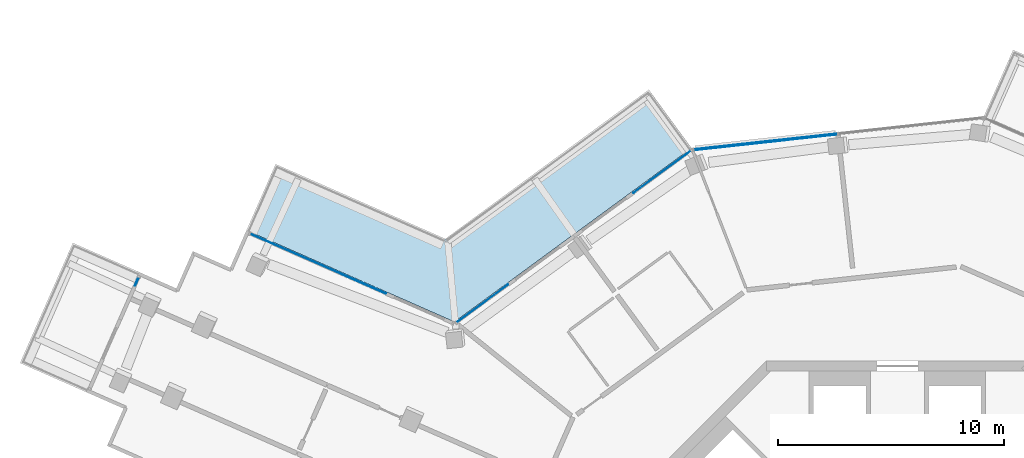
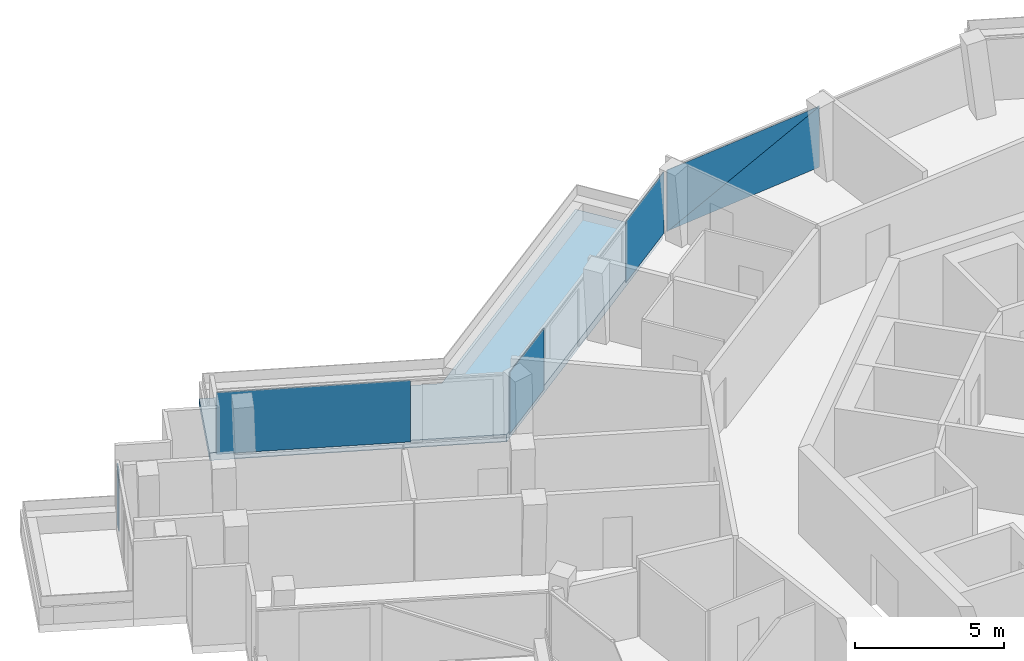
# One storey, part 13 of 24: 6 plates, 1 slab, 4 elements without a shape of their own.
"""IFC4 building model written with IfcOpenShell, lengths in metres."""

from ifc_helpers import new_model, si_unit, direction, frame, origin, origin_2d, place, context, subcontext, project, spatial, polyline, rectangle, outline, extrude, material, layer, layer_set, type_object, element, aggregate, save


model = new_model("IFC4")

# Units and contexts
model_context = context("Model", 3, precision=1e-05, world=origin(), true_north=direction((0.0, 1.0)))
body_context = subcontext(model_context, "Body", "Model", "MODEL_VIEW")
ifc_project = project(units=[si_unit("LENGTHUNIT", "METRE"), si_unit("AREAUNIT", "SQUARE_METRE"), si_unit("VOLUMEUNIT", "CUBIC_METRE"), si_unit("PLANEANGLEUNIT", "RADIAN"), si_unit("MASSUNIT", "GRAM", prefix="KILO")], contexts=[model_context])

# Site, building, storey
site_placement = place(None, origin())
site = spatial("IfcSite", under=ifc_project, at=site_placement, CompositionType="ELEMENT")
building_placement = place(site_placement, origin())
building = spatial("IfcBuilding", under=site, at=building_placement, Name="Verdalira Terraces Hotel", CompositionType="ELEMENT")
storey_placement = place(building_placement, frame((0.0, 0.0, 303.0)))
storey = spatial("IfcBuildingStorey", under=building, at=storey_placement, Name="L75", CompositionType="ELEMENT", Elevation=303.0)

# Slab
ifc_material_1 = material(Name="Precast concrete C40/50", Category="concrete")
ifc_layer_1 = layer(ifc_material_1, 0.31005859375)
ifc_layer_set_1 = layer_set([ifc_layer_1], Name="Balcony deck 310")
slab_type = type_object("IfcSlabType", Name="Balcony deck 310", PredefinedType="FLOOR", material=ifc_layer_set_1)
slab_placement = place(storey_placement, frame((0.0, 0.0, -0.310059)))
element("IfcSlab", 1, at=slab_placement, inside=storey, type_object=slab_type, Name="Balcony deck", PredefinedType="FLOOR", context=body_context, shape_type="SweptSolid", body=[
    extrude(outline(polyline([(-19.984863, 19.395996), (-27.487793, 22.698975), (-28.7771, 19.770264), (-19.583252, 15.7229), (-9.098145, 23.408203), (-10.98999, 25.989014), (-19.984863, 19.395996)])), origin(), (0.0, 0.0, 1.0), 0.310059),
])

# Curtain wall, plates
ifc_material_2 = material(Name="Clear glass", Category="glass")
ifc_layer_2 = layer(ifc_material_2, 0.14990234375)
ifc_layer_set_2 = layer_set([ifc_layer_2], Name="CW1 curtain wall")
curtain_wall_type_1 = type_object("IfcCurtainWallType", Name="CW1 curtain wall", PredefinedType="NOTDEFINED", material=ifc_layer_set_2)
curtain_wall_1_placement = place(storey_placement, origin())
curtain_wall_1 = element("IfcCurtainWall", 2, at=curtain_wall_1_placement, inside=storey, type_object=curtain_wall_type_1, Name="CW1 curtain wall L75 edge 40", PredefinedType="NOTDEFINED")
ifc_material_3 = material(Name="Clear glass", Category="glass")
ifc_layer_3 = layer(ifc_material_3, 0.028076171875)
ifc_layer_set_3 = layer_set([ifc_layer_3], Name="CW1 glass unit 28")
plate_type_1 = type_object("IfcPlateType", Name="CW1 glass unit 28", PredefinedType="CURTAIN_PANEL", material=ifc_layer_set_3)
plate_1_placement = place(storey_placement, frame((-5.822998, 23.676758, 1.262451), z_axis=(-0.108693378, 0.994075324, 0.0), x_axis=(-0.994075324, -0.108693378, 0.0)))
plate_1 = element("IfcPlate", 3, at=plate_1_placement, type_object=plate_type_1, Name="CW1 glass unit", PredefinedType="CURTAIN_PANEL", context=body_context, shape_type="SweptSolid", body=[
    extrude(outline(polyline([(-3.185059, -1.262451), (3.185059, -1.262451), (-3.185059, 1.262451), (-3.185059, -1.262451)])), origin(), (0.0, 0.0, 1.0), 0.028076),
])
plate_2_placement = place(storey_placement, frame((-5.819824, 23.647949, 1.262451), z_axis=(-0.108693378, 0.994075324, 0.0), x_axis=(-0.994075324, -0.108693378, 0.0)))
plate_2 = element("IfcPlate", 4, at=plate_2_placement, type_object=plate_type_1, Name="CW1 glass unit", PredefinedType="CURTAIN_PANEL", context=body_context, shape_type="SweptSolid", body=[
    extrude(outline(polyline([(3.185059, -1.262451), (3.185059, 1.262451), (-3.185059, 1.262451), (3.185059, -1.262451)])), origin(), (0.0, 0.0, 1.0), 0.028076),
])
aggregate(curtain_wall_1, [plate_1, plate_2])

curtain_wall_2_placement = place(storey_placement, origin())
curtain_wall_2 = element("IfcCurtainWall", 5, at=curtain_wall_2_placement, inside=storey, type_object=curtain_wall_type_1, Name="CW1 curtain wall L75 edge 41", PredefinedType="NOTDEFINED")
plate_3_placement = place(storey_placement, frame((-10.405029, 22.357422, 0.0), z_axis=(0.0, 0.0, 1.0), x_axis=(-0.806547795, -0.591168888, 0.0)))
plate_3 = element("IfcPlate", 6, at=plate_3_placement, type_object=plate_type_1, Name="CW1 glass unit", PredefinedType="CURTAIN_PANEL", context=body_context, shape_type="SweptSolid", body=[
    extrude(rectangle(XDim=3.149902, YDim=0.028076, at=origin_2d()), origin(), (0.0, 0.0, 1.0), 2.524902),
])
plate_4_placement = place(storey_placement, frame((-18.349854, 16.533936, 0.0), z_axis=(0.0, 0.0, 1.0), x_axis=(-0.806547795, -0.591168888, 0.0)))
plate_4 = element("IfcPlate", 7, at=plate_4_placement, type_object=plate_type_1, Name="CW1 glass unit", PredefinedType="CURTAIN_PANEL", context=body_context, shape_type="SweptSolid", body=[
    extrude(rectangle(XDim=2.828613, YDim=0.028076, at=origin_2d()), origin(), (0.0, 0.0, 1.0), 2.524902),
])
aggregate(curtain_wall_2, [plate_3, plate_4])

# Curtain wall, plate
ifc_material_4 = material(Name="Clear glass", Category="glass")
ifc_layer_4 = layer(ifc_material_4, 0.14990234375)
ifc_layer_set_4 = layer_set([ifc_layer_4], Name="CW2 curtain wall")
curtain_wall_type_2 = type_object("IfcCurtainWallType", Name="CW2 curtain wall", PredefinedType="NOTDEFINED", material=ifc_layer_set_4)
curtain_wall_3_placement = place(storey_placement, origin())
curtain_wall_3 = element("IfcCurtainWall", 8, at=curtain_wall_3_placement, inside=storey, type_object=curtain_wall_type_2, Name="CW2 curtain wall L75 edge 0", PredefinedType="NOTDEFINED")
ifc_material_5 = material(Name="Clear glass", Category="glass")
ifc_layer_5 = layer(ifc_material_5, 0.031982421875)
ifc_layer_set_5 = layer_set([ifc_layer_5], Name="CW2 glass unit 32")
plate_type_2 = type_object("IfcPlateType", Name="CW2 glass unit 32", PredefinedType="CURTAIN_PANEL", material=ifc_layer_set_5)
plate_5_placement = place(storey_placement, frame((-25.606201, 18.292236, 0.0), z_axis=(0.0, 0.0, 1.0), x_axis=(-0.915241173, 0.402906436, 0.0)))
plate_5 = element("IfcPlate", 9, at=plate_5_placement, type_object=plate_type_2, Name="CW2 glass unit", PredefinedType="CURTAIN_PANEL", context=body_context, shape_type="SweptSolid", body=[
    extrude(rectangle(XDim=6.555176, YDim=0.031982, at=origin_2d()), origin(), (0.0, 0.0, 1.0), 2.524902),
])
aggregate(curtain_wall_3, [plate_5])

ifc_material_6 = material(Name="Clear glass", Category="glass")
ifc_layer_6 = layer(ifc_material_6, 0.14990234375)
ifc_layer_set_6 = layer_set([ifc_layer_6], Name="CW3 curtain wall")
curtain_wall_type_3 = type_object("IfcCurtainWallType", Name="CW3 curtain wall", PredefinedType="NOTDEFINED", material=ifc_layer_set_6)
curtain_wall_4_placement = place(storey_placement, origin())
curtain_wall_4 = element("IfcCurtainWall", 10, at=curtain_wall_4_placement, inside=storey, type_object=curtain_wall_type_3, Name="CW3 curtain wall L75 edge 5", PredefinedType="NOTDEFINED")
ifc_material_7 = material(Name="Clear glass", Category="glass")
ifc_layer_7 = layer(ifc_material_7, 0.035888671875)
ifc_layer_set_7 = layer_set([ifc_layer_7], Name="CW3 glass unit 36")
plate_type_3 = type_object("IfcPlateType", Name="CW3 glass unit 36", PredefinedType="CURTAIN_PANEL", material=ifc_layer_set_7)
plate_6_placement = place(storey_placement, frame((-33.627197, 17.501953, 0.0), z_axis=(0.0, 0.0, 1.0), x_axis=(-0.402906436, -0.915241173, 0.0)))
plate_6 = element("IfcPlate", 11, at=plate_6_placement, type_object=plate_type_3, Name="CW3 glass unit", PredefinedType="CURTAIN_PANEL", context=body_context, shape_type="SweptSolid", body=[
    extrude(rectangle(XDim=0.399902, YDim=0.035889, at=origin_2d()), origin(), (0.0, 0.0, 1.0), 2.524902),
])
aggregate(curtain_wall_4, [plate_6])

save(model, "model.ifc")
